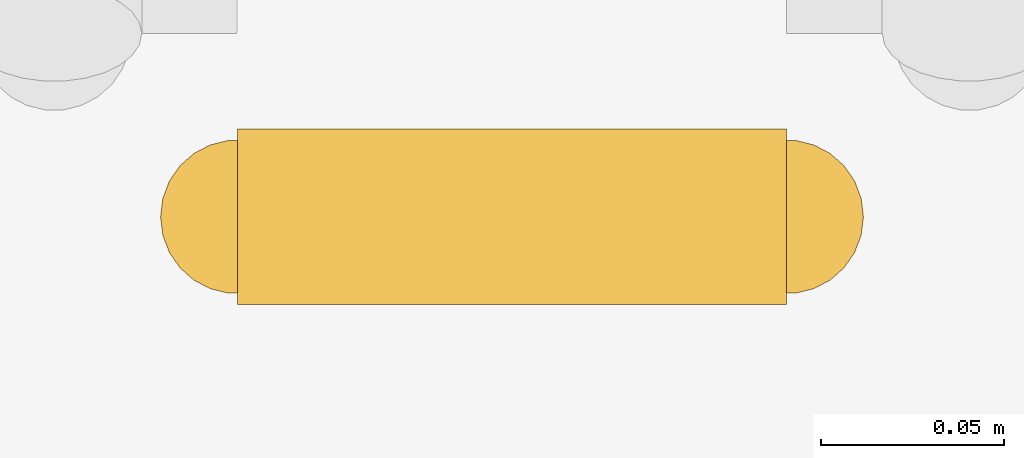
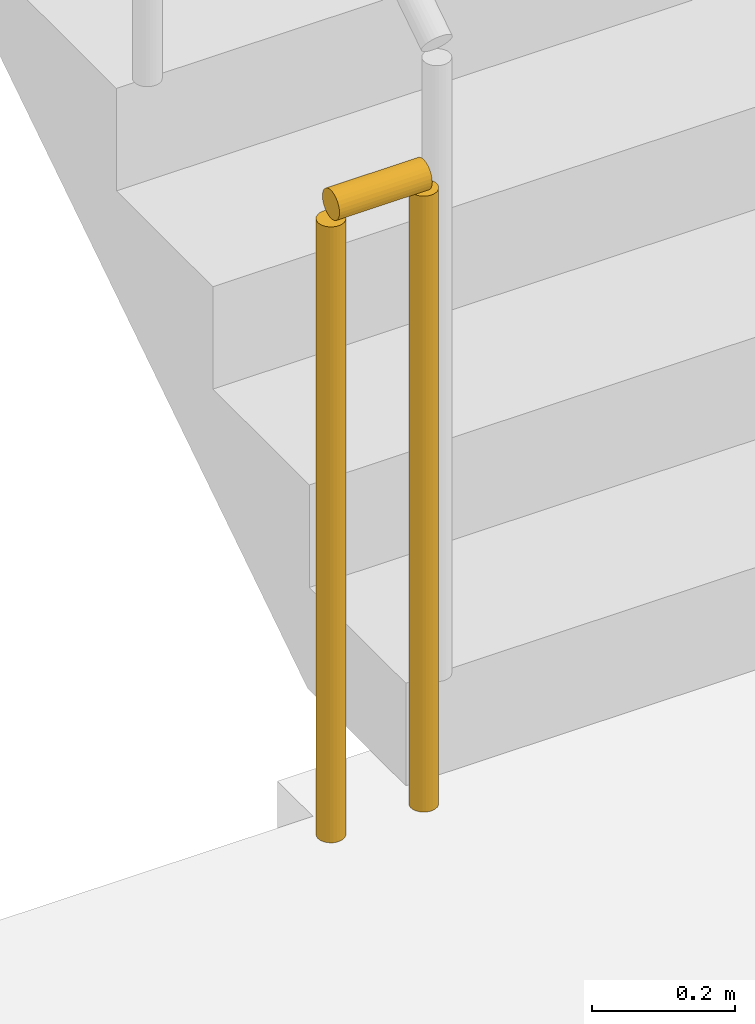
# One storey, part 14 of 19: 1 railing.
"""IFC4 building model written with IfcOpenShell, lengths in metres."""

from ifc_helpers import new_model, si_unit, direction, frame, origin, origin_2d, place, context, subcontext, project, spatial, circle, extrude, material, type_object, element, save


model = new_model("IFC4")

# Units and contexts
model_context = context("Model", 3, precision=1e-05, world=origin(), true_north=direction((0.0, 1.0)))
body_context = subcontext(model_context, "Body", "Model", "MODEL_VIEW")
ifc_project = project(units=[si_unit("LENGTHUNIT", "METRE"), si_unit("AREAUNIT", "SQUARE_METRE"), si_unit("VOLUMEUNIT", "CUBIC_METRE"), si_unit("PLANEANGLEUNIT", "RADIAN"), si_unit("MASSUNIT", "GRAM", prefix="KILO")], contexts=[model_context])

# Site, building, storey
site_placement = place(None, origin())
site = spatial("IfcSite", under=ifc_project, at=site_placement, CompositionType="ELEMENT")
building_placement = place(site_placement, origin())
building = spatial("IfcBuilding", under=site, at=building_placement, Name="Saffron Iwan Residences", CompositionType="ELEMENT")
storey_placement = place(building_placement, frame((0.0, 0.0, 134.0)))
storey = spatial("IfcBuildingStorey", under=building, at=storey_placement, Name="L35", CompositionType="ELEMENT", Elevation=134.0)

# Railing
ifc_material = material(Name="Steel S355", Category="steel")
railing_type = type_object("IfcRailingType", Name="Stair guard 1100", PredefinedType="GUARDRAIL", material=ifc_material)
railing_placement = place(storey_placement, frame((31.25, 67.800048828125, 0.0)))
element("IfcRailing", 1, at=railing_placement, inside=storey, type_object=railing_type, Name="L35 ST-W stair guard 2", PredefinedType="GUARDRAIL", context=body_context, shape_type="SweptSolid", body=[
    extrude(circle(Radius=0.02392578125, at=origin_2d()), frame((0.0, 0.0, 1.076171875), z_axis=(-1.0, 0.0, 0.0), x_axis=(0.0, -1.0, 0.0)), (0.0, 0.0, 1.0), 0.14990234375),
    extrude(circle(Radius=0.02099609375, at=origin_2d()), origin(), (0.0, 0.0, 1.0), 1.052001953125),
    extrude(circle(Radius=0.02099609375, at=origin_2d()), frame((-0.14990234375, 0.0, 0.0)), (0.0, 0.0, 1.0), 1.052001953125),
])

save(model, "model.ifc")
